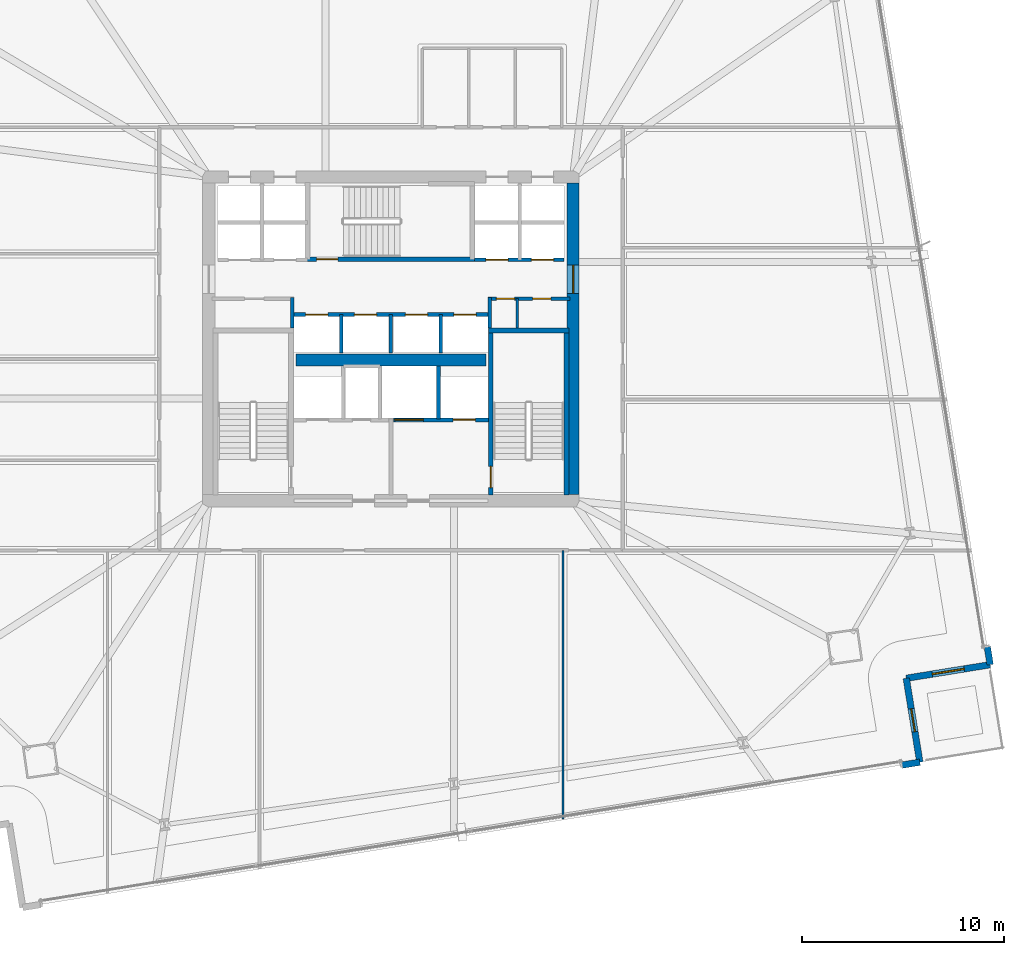
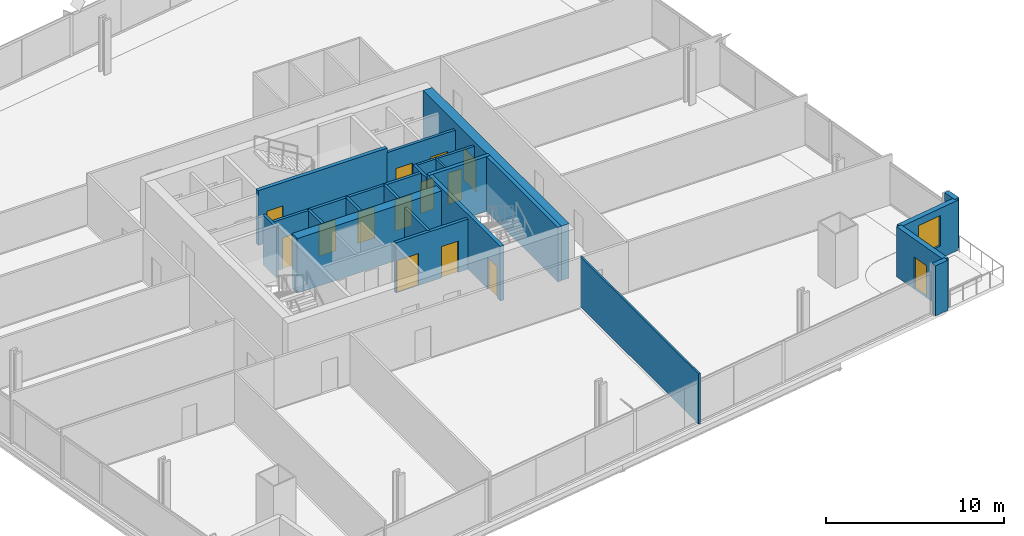
# One storey, part 26 of 33: 22 walls, 14 doors, 1 window, 15 openings.
"""IFC4 building model written with IfcOpenShell, lengths in metres."""

from ifc_helpers import new_model, si_unit, direction, frame, frame_2d, origin, place, context, subcontext, project, spatial, rectangle, extrude, material, layer, layer_set, type_object, element, fill, save


model = new_model("IFC4")

# Units and contexts
model_context = context("Model", 3, precision=1e-05, world=origin(), true_north=direction((0.0, 1.0)))
body_context = subcontext(model_context, "Body", "Model", "MODEL_VIEW")
ifc_project = project(units=[si_unit("LENGTHUNIT", "METRE"), si_unit("AREAUNIT", "SQUARE_METRE"), si_unit("VOLUMEUNIT", "CUBIC_METRE"), si_unit("PLANEANGLEUNIT", "RADIAN"), si_unit("MASSUNIT", "GRAM", prefix="KILO")], contexts=[model_context])

# Site, building, storey
site_placement = place(None, origin())
site = spatial("IfcSite", under=ifc_project, at=site_placement, CompositionType="ELEMENT")
building_placement = place(site_placement, origin())
building = spatial("IfcBuilding", under=site, at=building_placement, Name="Haldenkirk Collegiate Tower", CompositionType="ELEMENT")
storey_placement = place(building_placement, frame((0.0, 0.0, 58.949951171875)))
storey = spatial("IfcBuildingStorey", under=building, at=storey_placement, Name="L13", CompositionType="ELEMENT", Elevation=58.949951171875)

# Wall, opening, door
ifc_material_1 = material(Name="Concrete f'c 70 MPa", Category="concrete")
ifc_layer_1 = layer(ifc_material_1, 0.60009765625)
ifc_layer_set_1 = layer_set([ifc_layer_1], Name="Concrete f'c 70 MPa")
wall_type_1 = type_object("IfcWallType", Name="WL-CORE-600", PredefinedType="SHEAR", material=ifc_layer_set_1)
wall_1_placement = place(storey_placement, frame((45.0, 18.300048828125, 0.0), z_axis=(0.0, 0.0, 1.0), x_axis=(0.0, 1.0, 0.0)))
wall_1 = element("IfcWall", 1, at=wall_1_placement, inside=storey, type_object=wall_type_1, Name="L13 central core shear wall E", PredefinedType="SHEAR", context=body_context, shape_type="SweptSolid", body=[
    extrude(rectangle(XDim=15.39990234375, YDim=0.60009765625, at=frame_2d((7.699951171875, 0.0))), origin(), (0.0, 0.0, 1.0), 3.75),
])
opening_1_placement = place(wall_1_placement, frame((9.93994140625, 0.0, 0.0)))
opening_1 = element("IfcOpeningElement", 2, at=opening_1_placement, cuts=wall_1, Name="Opening D-03", PredefinedType="OPENING", context=body_context, shape_type="SweptSolid", body=[
    extrude(rectangle(XDim=1.39990234375, YDim=2.199951171875, at=frame_2d((0.699951171875, 1.10009765625))), frame((0.0, 0.31005859375, 0.0), z_axis=(0.0, -1.0, 0.0), x_axis=(1.0, 0.0, 0.0)), (0.0, 0.0, 1.0), 0.6201171875),
])
ifc_material_2 = material(Name="Galvanized fire-rated hollow steel door", Category="steel")
ifc_layer_2 = layer(ifc_material_2, 0.06005859375)
ifc_layer_set_2 = layer_set([ifc_layer_2], Name="Galvanized fire-rated hollow steel door")
door_type_1 = type_object("IfcDoorType", Name="DR-LOBBY-FD90-1400", OperationType="NOTDEFINED", PredefinedType="DOOR", material=ifc_layer_set_2)
door_1_placement = place(opening_1_placement, origin())
door_1 = element("IfcDoor", 3, at=door_1_placement, inside=storey, type_object=door_type_1, Name="L13 east lift lobby portal", OperationType="DOUBLE_DOOR_SINGLE_SWING", OverallHeight=2.199951171875, OverallWidth=1.39990234375, PredefinedType="DOOR", context=body_context, shape_type="SweptSolid", body=[
    extrude(rectangle(XDim=1.39990234375, YDim=2.199951171875, at=frame_2d((0.699951171875, 1.10009765625))), frame((0.0, 0.02490234375, 0.0), z_axis=(0.0, -1.0, 0.0), x_axis=(1.0, 0.0, 0.0)), (0.0, 0.0, 1.0), 0.050048828125),
])
fill(opening_1, door_1)

# Walls
wall_2_placement = place(storey_placement, frame((31.31005859375, 24.949951171875, 0.0), z_axis=(0.0, 0.0, 1.0), x_axis=(1.0, 0.0, 0.0)))
element("IfcWall", 4, at=wall_2_placement, inside=storey, type_object=wall_type_1, Name="L13 central core spine shear wall", PredefinedType="SHEAR", context=body_context, shape_type="SweptSolid", body=[
    extrude(rectangle(XDim=9.3798828125, YDim=0.60009765625, at=frame_2d((4.68994140625, 0.0))), origin(), (0.0, 0.0, 1.0), 3.75),
])
ifc_material_3 = material(Name="Precast concrete f'c 40 MPa", Category="concrete")
ifc_layer_3 = layer(ifc_material_3, 0.320068359375)
ifc_layer_set_3 = layer_set([ifc_layer_3], Name="Precast concrete f'c 40 MPa")
wall_type_2 = type_object("IfcWallType", Name="WL-EXT-TWR-320", PredefinedType="STANDARD", material=ifc_layer_set_3)
wall_3_placement = place(storey_placement, frame((62.13037109375, 5.083740234375, 0.0), z_axis=(0.0, 0.0, 1.0), x_axis=(-0.987110110933, -0.160042584625, 0.0)))
element("IfcWall", 5, at=wall_3_placement, inside=storey, type_object=wall_type_2, Name="L13 precast corner pier SL", PredefinedType="STANDARD", context=body_context, shape_type="SweptSolid", body=[
    extrude(rectangle(XDim=0.900146484375, YDim=0.320068359375, at=frame_2d((0.4501953125, 0.0))), origin(), (0.0, 0.0, 1.0), 3.43994140625),
])

# Wall, opening, door
wall_4_placement = place(storey_placement, frame((61.458740234375, 9.2294921875, 0.0), z_axis=(0.0, 0.0, 1.0), x_axis=(0.159919601167, -0.987130042681, 0.0)))
wall_4 = element("IfcWall", 6, at=wall_4_placement, inside=storey, type_object=wall_type_2, Name="L13 bronze precast notch wall 02", PredefinedType="STANDARD", context=body_context, shape_type="SweptSolid", body=[
    extrude(rectangle(XDim=4.19970703125, YDim=0.320068359375, at=frame_2d((2.099853515625, 0.0))), origin(), (0.0, 0.0, 1.0), 3.43994140625),
])
opening_2_placement = place(wall_4_placement, frame((1.52490234375, 0.0, 0.0)))
opening_2 = element("IfcOpeningElement", 7, at=opening_2_placement, cuts=wall_4, Name="Opening D-ST11", PredefinedType="OPENING", context=body_context, shape_type="SweptSolid", body=[
    extrude(rectangle(XDim=1.14990234375, YDim=2.199951171875, at=frame_2d((0.574951171875, 1.10009765625))), frame((0.0, 0.169921875, 0.0), z_axis=(0.0, -1.0, 0.0), x_axis=(1.0, 0.0, 0.0)), (0.0, 0.0, 1.0), 0.340087890625),
])
ifc_material_4 = material(Name="Anodised architectural bronze aluminium", Category="aluminium")
ifc_layer_4 = layer(ifc_material_4, 0.080078125)
ifc_layer_set_4 = layer_set([ifc_layer_4], Name="Anodised architectural bronze aluminium")
door_type_2 = type_object("IfcDoorType", Name="DR-EXT-STER-1150", OperationType="NOTDEFINED", PredefinedType="DOOR", material=ifc_layer_set_4)
door_2_placement = place(opening_2_placement, origin())
door_2 = element("IfcDoor", 8, at=door_2_placement, inside=storey, type_object=door_type_2, Name="L13 spiralling terrace door", OperationType="SINGLE_SWING_RIGHT", OverallHeight=2.199951171875, OverallWidth=1.14990234375, PredefinedType="DOOR", context=body_context, shape_type="SweptSolid", body=[
    extrude(rectangle(XDim=1.14990234375, YDim=2.199951171875, at=frame_2d((0.574951171875, 1.10009765625))), frame((0.0, 0.02490234375, 0.0), z_axis=(0.0, -1.0, 0.0), x_axis=(1.0, 0.0, 0.0)), (0.0, 0.0, 1.0), 0.050048828125),
])
fill(opening_2, door_2)

# Wall, opening, window
wall_5_placement = place(storey_placement, frame((65.604736328125, 9.901123046875, 0.0), z_axis=(0.0, 0.0, 1.0), x_axis=(-0.987131529222, -0.159910424973, 0.0)))
wall_5 = element("IfcWall", 9, at=wall_5_placement, inside=storey, type_object=wall_type_2, Name="L13 bronze precast notch wall 03", PredefinedType="STANDARD", context=body_context, shape_type="SweptSolid", body=[
    extrude(rectangle(XDim=4.199951171875, YDim=0.320068359375, at=frame_2d((2.10009765625, 0.0))), origin(), (0.0, 0.0, 1.0), 3.43994140625),
])
opening_3_placement = place(wall_5_placement, frame((1.300048828125, 0.0, 0.85009765625)))
opening_3 = element("IfcOpeningElement", 10, at=opening_3_placement, cuts=wall_5, Name="Opening W-03", PredefinedType="OPENING", context=body_context, shape_type="SweptSolid", body=[
    extrude(rectangle(XDim=1.60009765625, YDim=2.10009765625, at=frame_2d((0.800048828125, 1.050048828125))), frame((0.0, 0.169921875, 0.0), z_axis=(0.0, -1.0, 0.0), x_axis=(1.0, 0.0, 0.0)), (0.0, 0.0, 1.0), 0.340087890625),
])
ifc_material_5 = material(Name="Low-E argon triple insulating glass", Category="glass")
ifc_layer_5 = layer(ifc_material_5, 0.090087890625)
ifc_layer_set_5 = layer_set([ifc_layer_5], Name="Low-E argon triple insulating glass")
window_type = type_object("IfcWindowType", Name="WN-Z1-1600X2100", PartitioningType="SINGLE_PANEL", PredefinedType="WINDOW", material=ifc_layer_set_5)
window_placement = place(opening_3_placement, origin())
window = element("IfcWindow", 11, at=window_placement, inside=storey, type_object=window_type, Name="L13 precast-frame academic window 2", OverallHeight=2.10009765625, OverallWidth=1.60009765625, PartitioningType="SINGLE_PANEL", PredefinedType="WINDOW", context=body_context, shape_type="SweptSolid", body=[
    extrude(rectangle(XDim=1.60009765625, YDim=2.10009765625, at=frame_2d((0.800048828125, 1.050048828125))), frame((0.0, 0.030029296875, 0.0), z_axis=(0.0, -1.0, 0.0), x_axis=(1.0, 0.0, 0.0)), (0.0, 0.0, 1.0), 0.06005859375),
])
fill(opening_3, window)

# Walls
wall_6_placement = place(storey_placement, frame((65.460693359375, 10.78955078125, 0.0), z_axis=(0.0, 0.0, 1.0), x_axis=(0.160042584625, -0.987110110933, 0.0)))
element("IfcWall", 12, at=wall_6_placement, inside=storey, type_object=wall_type_2, Name="L13 precast corner pier ER", PredefinedType="STANDARD", context=body_context, shape_type="SweptSolid", body=[
    extrude(rectangle(XDim=0.900146484375, YDim=0.320068359375, at=frame_2d((0.4501953125, 0.0))), origin(), (0.0, 0.0, 1.0), 3.43994140625),
])
ifc_material_6 = material(Name="Acoustic fire-rated gypsum partition", Category="concrete")
ifc_layer_6 = layer(ifc_material_6, 0.159912109375)
ifc_layer_set_6 = layer_set([ifc_layer_6], Name="Acoustic fire-rated gypsum partition")
wall_type_3 = type_object("IfcWallType", Name="WL-INT-CORR-160", PredefinedType="PARTITIONING", material=ifc_layer_set_6)
wall_7_placement = place(storey_placement, frame((31.1201171875, 26.5400390625, 0.0), z_axis=(0.0, 0.0, 1.0), x_axis=(0.0, 1.0, 0.0)))
element("IfcWall", 13, at=wall_7_placement, inside=storey, type_object=wall_type_3, Name="L13 interior partition IW-L13-VCSW-E", PredefinedType="PARTITIONING", context=body_context, shape_type="SweptSolid", body=[
    extrude(rectangle(XDim=1.510009765625, YDim=0.159912109375, at=frame_2d((0.7548828125, 0.0))), origin(), (0.0, 0.0, 1.0), 3.43994140625),
])

# Wall, openings, doors
wall_8_placement = place(storey_placement, frame((40.800048828125, 27.97998046875, 0.0), z_axis=(0.0, 0.0, 1.0), x_axis=(1.0, 0.0, 0.0)))
wall_8 = element("IfcWall", 14, at=wall_8_placement, inside=storey, type_object=wall_type_3, Name="L13 interior partition IW-L13-VCSE-N", PredefinedType="PARTITIONING", context=body_context, shape_type="SweptSolid", body=[
    extrude(rectangle(XDim=4.050048828125, YDim=0.159912109375, at=frame_2d((2.02490234375, 0.0))), origin(), (0.0, 0.0, 1.0), 3.43994140625),
])
opening_4_placement = place(wall_8_placement, frame((0.407470703125, 0.0, 0.0)))
opening_4 = element("IfcOpeningElement", 15, at=opening_4_placement, cuts=wall_8, Name="Opening D-11", PredefinedType="OPENING", context=body_context, shape_type="SweptSolid", body=[
    extrude(rectangle(XDim=0.89990234375, YDim=2.14990234375, at=frame_2d((0.449951171875, 1.074951171875))), frame((0.0, 0.08984375, 0.0), z_axis=(0.0, -1.0, 0.0), x_axis=(1.0, 0.0, 0.0)), (0.0, 0.0, 1.0), 0.179931640625),
])
opening_5_placement = place(wall_8_placement, frame((2.199951171875, 0.0, 0.0)))
opening_5 = element("IfcOpeningElement", 16, at=opening_5_placement, cuts=wall_8, Name="Opening D-11", PredefinedType="OPENING", context=body_context, shape_type="SweptSolid", body=[
    extrude(rectangle(XDim=0.89990234375, YDim=2.14990234375, at=frame_2d((0.449951171875, 1.074951171875))), frame((0.0, 0.08984375, 0.0), z_axis=(0.0, -1.0, 0.0), x_axis=(1.0, 0.0, 0.0)), (0.0, 0.0, 1.0), 0.179931640625),
])
ifc_material_7 = material(Name="Solid-core architectural oak fire door", Category="wood")
ifc_layer_7 = layer(ifc_material_7, 0.06005859375)
ifc_layer_set_7 = layer_set([ifc_layer_7], Name="Solid-core architectural oak fire door")
door_type_3 = type_object("IfcDoorType", Name="DR-INT-FD60-900", OperationType="NOTDEFINED", PredefinedType="DOOR", material=ifc_layer_set_7)
door_3_placement = place(opening_4_placement, origin())
door_3 = element("IfcDoor", 17, at=door_3_placement, inside=storey, type_object=door_type_3, Name="L13 core copy room door", OperationType="SINGLE_SWING_RIGHT", OverallHeight=2.14990234375, OverallWidth=0.89990234375, PredefinedType="DOOR", context=body_context, shape_type="SweptSolid", body=[
    extrude(rectangle(XDim=0.89990234375, YDim=2.14990234375, at=frame_2d((0.449951171875, 1.074951171875))), frame((0.0, 0.02490234375, 0.0), z_axis=(0.0, -1.0, 0.0), x_axis=(1.0, 0.0, 0.0)), (0.0, 0.0, 1.0), 0.050048828125),
])
fill(opening_4, door_3)
door_4_placement = place(opening_5_placement, origin())
door_4 = element("IfcDoor", 18, at=door_4_placement, inside=storey, type_object=door_type_3, Name="L13 core records store door", OperationType="SINGLE_SWING_LEFT", OverallHeight=2.14990234375, OverallWidth=0.89990234375, PredefinedType="DOOR", context=body_context, shape_type="SweptSolid", body=[
    extrude(rectangle(XDim=0.89990234375, YDim=2.14990234375, at=frame_2d((0.449951171875, 1.074951171875))), frame((0.0, 0.02490234375, 0.0), z_axis=(0.0, -1.0, 0.0), x_axis=(1.0, 0.0, 0.0)), (0.0, 0.0, 1.0), 0.050048828125),
])
fill(opening_5, door_4)

# Walls
wall_9_placement = place(storey_placement, frame((40.8798828125, 26.5400390625, 0.0), z_axis=(0.0, 0.0, 1.0), x_axis=(0.0, 1.0, 0.0)))
element("IfcWall", 19, at=wall_9_placement, inside=storey, type_object=wall_type_3, Name="L13 interior partition IW-L13-VCSE-W", PredefinedType="PARTITIONING", context=body_context, shape_type="SweptSolid", body=[
    extrude(rectangle(XDim=1.510009765625, YDim=0.159912109375, at=frame_2d((0.7548828125, 0.0))), origin(), (0.0, 0.0, 1.0), 3.43994140625),
])
ifc_material_8 = material(Name="Fire-rated gypsum shaftboard assembly", Category="concrete")
ifc_layer_8 = layer(ifc_material_8, 0.179931640625)
ifc_layer_set_8 = layer_set([ifc_layer_8], Name="Fire-rated gypsum shaftboard assembly")
wall_type_4 = type_object("IfcWallType", Name="WL-INT-SHAFT-180", PredefinedType="PARTITIONING", material=ifc_layer_set_8)
wall_10_placement = place(storey_placement, frame((38.35009765625, 22.050048828125, 0.0), z_axis=(0.0, 0.0, 1.0), x_axis=(0.0, 1.0, 0.0)))
element("IfcWall", 20, at=wall_10_placement, inside=storey, type_object=wall_type_4, Name="L13 interior partition IW-L13-GL1E", PredefinedType="PARTITIONING", context=body_context, shape_type="SweptSolid", body=[
    extrude(rectangle(XDim=2.599853515625, YDim=0.179931640625, at=frame_2d((1.2998046875, 0.0))), origin(), (0.0, 0.0, 1.0), 3.43994140625),
])

# Wall, openings, doors
wall_11_placement = place(storey_placement, frame((40.1201171875, 29.89990234375, 0.0), z_axis=(0.0, 0.0, 1.0), x_axis=(1.0, 0.0, 0.0)))
wall_11 = element("IfcWall", 21, at=wall_11_placement, inside=storey, type_object=wall_type_4, Name="L13 interior partition IW-L13-PMS", PredefinedType="PARTITIONING", context=body_context, shape_type="SweptSolid", body=[
    extrude(rectangle(XDim=4.429931640625, YDim=0.179931640625, at=frame_2d((2.21484375, 0.0))), origin(), (0.0, 0.0, 1.0), 3.43994140625),
])
opening_6_placement = place(wall_11_placement, frame((0.56494140625, 0.0, 0.0)))
opening_6 = element("IfcOpeningElement", 22, at=opening_6_placement, cuts=wall_11, Name="Opening LD-11", PredefinedType="OPENING", context=body_context, shape_type="SweptSolid", body=[
    extrude(rectangle(XDim=1.10009765625, YDim=2.14990234375, at=frame_2d((0.550048828125, 1.074951171875))), frame((0.0, 0.099853515625, 0.0), z_axis=(0.0, -1.0, 0.0), x_axis=(1.0, 0.0, 0.0)), (0.0, 0.0, 1.0), 0.199951171875),
])
opening_7_placement = place(wall_11_placement, frame((2.81494140625, 0.0, 0.0)))
opening_7 = element("IfcOpeningElement", 23, at=opening_7_placement, cuts=wall_11, Name="Opening LD-11", PredefinedType="OPENING", context=body_context, shape_type="SweptSolid", body=[
    extrude(rectangle(XDim=1.10009765625, YDim=2.14990234375, at=frame_2d((0.550048828125, 1.074951171875))), frame((0.0, 0.099853515625, 0.0), z_axis=(0.0, -1.0, 0.0), x_axis=(1.0, 0.0, 0.0)), (0.0, 0.0, 1.0), 0.199951171875),
])
ifc_material_9 = material(Name="Brushed architectural stainless steel", Category="steel")
ifc_layer_9 = layer(ifc_material_9, 0.06005859375)
ifc_layer_set_9 = layer_set([ifc_layer_9], Name="Brushed architectural stainless steel")
door_type_4 = type_object("IfcDoorType", Name="LD-PASS-1100", OperationType="NOTDEFINED", PredefinedType="DOOR", material=ifc_layer_set_9)
door_5_placement = place(opening_6_placement, origin())
door_5 = element("IfcDoor", 24, at=door_5_placement, inside=storey, type_object=door_type_4, Name="L13 Elevator PM1 sliding landing door", OperationType="SLIDING_TO_LEFT", OverallHeight=2.14990234375, OverallWidth=1.10009765625, PredefinedType="DOOR", context=body_context, shape_type="SweptSolid", body=[
    extrude(rectangle(XDim=1.10009765625, YDim=2.14990234375, at=frame_2d((0.550048828125, 1.074951171875))), frame((0.0, 0.02490234375, 0.0), z_axis=(0.0, -1.0, 0.0), x_axis=(1.0, 0.0, 0.0)), (0.0, 0.0, 1.0), 0.050048828125),
])
fill(opening_6, door_5)
door_6_placement = place(opening_7_placement, origin())
door_6 = element("IfcDoor", 25, at=door_6_placement, inside=storey, type_object=door_type_4, Name="L13 Elevator PM2 sliding landing door", OperationType="SLIDING_TO_LEFT", OverallHeight=2.14990234375, OverallWidth=1.10009765625, PredefinedType="DOOR", context=body_context, shape_type="SweptSolid", body=[
    extrude(rectangle(XDim=1.10009765625, YDim=2.14990234375, at=frame_2d((0.550048828125, 1.074951171875))), frame((0.0, 0.02490234375, 0.0), z_axis=(0.0, -1.0, 0.0), x_axis=(1.0, 0.0, 0.0)), (0.0, 0.0, 1.0), 0.050048828125),
])
fill(opening_7, door_6)

wall_12_placement = place(storey_placement, frame((31.199951171875, 27.199951171875, 0.0), z_axis=(0.0, 0.0, 1.0), x_axis=(1.0, 0.0, 0.0)))
wall_12 = element("IfcWall", 26, at=wall_12_placement, inside=storey, type_object=wall_type_4, Name="L13 interior partition IW-L13-PHN", PredefinedType="PARTITIONING", context=body_context, shape_type="SweptSolid", body=[
    extrude(rectangle(XDim=9.60009765625, YDim=0.179931640625, at=frame_2d((4.800048828125, 0.0))), origin(), (0.0, 0.0, 1.0), 3.43994140625),
])
opening_8_placement = place(wall_12_placement, frame((0.590087890625, 0.0, 0.0)))
opening_8 = element("IfcOpeningElement", 27, at=opening_8_placement, cuts=wall_12, Name="Opening LD-11", PredefinedType="OPENING", context=body_context, shape_type="SweptSolid", body=[
    extrude(rectangle(XDim=1.10009765625, YDim=2.14990234375, at=frame_2d((0.550048828125, 1.074951171875))), frame((0.0, 0.099853515625, 0.0), z_axis=(0.0, -1.0, 0.0), x_axis=(1.0, 0.0, 0.0)), (0.0, 0.0, 1.0), 0.199951171875),
])
opening_9_placement = place(wall_12_placement, frame((2.989990234375, 0.0, 0.0)))
opening_9 = element("IfcOpeningElement", 28, at=opening_9_placement, cuts=wall_12, Name="Opening LD-11", PredefinedType="OPENING", context=body_context, shape_type="SweptSolid", body=[
    extrude(rectangle(XDim=1.10009765625, YDim=2.14990234375, at=frame_2d((0.550048828125, 1.074951171875))), frame((0.0, 0.099853515625, 0.0), z_axis=(0.0, -1.0, 0.0), x_axis=(1.0, 0.0, 0.0)), (0.0, 0.0, 1.0), 0.199951171875),
])
opening_10_placement = place(wall_12_placement, frame((5.510009765625, 0.0, 0.0)))
opening_10 = element("IfcOpeningElement", 29, at=opening_10_placement, cuts=wall_12, Name="Opening LD-11", PredefinedType="OPENING", context=body_context, shape_type="SweptSolid", body=[
    extrude(rectangle(XDim=1.10009765625, YDim=2.14990234375, at=frame_2d((0.550048828125, 1.074951171875))), frame((0.0, 0.099853515625, 0.0), z_axis=(0.0, -1.0, 0.0), x_axis=(1.0, 0.0, 0.0)), (0.0, 0.0, 1.0), 0.199951171875),
])
opening_11_placement = place(wall_12_placement, frame((7.909912109375, 0.0, 0.0)))
opening_11 = element("IfcOpeningElement", 30, at=opening_11_placement, cuts=wall_12, Name="Opening LD-11", PredefinedType="OPENING", context=body_context, shape_type="SweptSolid", body=[
    extrude(rectangle(XDim=1.10009765625, YDim=2.14990234375, at=frame_2d((0.550048828125, 1.074951171875))), frame((0.0, 0.099853515625, 0.0), z_axis=(0.0, -1.0, 0.0), x_axis=(1.0, 0.0, 0.0)), (0.0, 0.0, 1.0), 0.199951171875),
])
door_7_placement = place(opening_8_placement, origin())
door_7 = element("IfcDoor", 31, at=door_7_placement, inside=storey, type_object=door_type_4, Name="L13 Elevator PH1 sliding landing door", OperationType="SLIDING_TO_LEFT", OverallHeight=2.14990234375, OverallWidth=1.10009765625, PredefinedType="DOOR", context=body_context, shape_type="SweptSolid", body=[
    extrude(rectangle(XDim=1.10009765625, YDim=2.14990234375, at=frame_2d((0.550048828125, 1.074951171875))), frame((0.0, 0.02490234375, 0.0), z_axis=(0.0, -1.0, 0.0), x_axis=(1.0, 0.0, 0.0)), (0.0, 0.0, 1.0), 0.050048828125),
])
fill(opening_8, door_7)
door_8_placement = place(opening_9_placement, origin())
door_8 = element("IfcDoor", 32, at=door_8_placement, inside=storey, type_object=door_type_4, Name="L13 Elevator PH2 sliding landing door", OperationType="SLIDING_TO_LEFT", OverallHeight=2.14990234375, OverallWidth=1.10009765625, PredefinedType="DOOR", context=body_context, shape_type="SweptSolid", body=[
    extrude(rectangle(XDim=1.10009765625, YDim=2.14990234375, at=frame_2d((0.550048828125, 1.074951171875))), frame((0.0, 0.02490234375, 0.0), z_axis=(0.0, -1.0, 0.0), x_axis=(1.0, 0.0, 0.0)), (0.0, 0.0, 1.0), 0.050048828125),
])
fill(opening_9, door_8)
door_9_placement = place(opening_10_placement, origin())
door_9 = element("IfcDoor", 33, at=door_9_placement, inside=storey, type_object=door_type_4, Name="L13 Elevator PH3 sliding landing door", OperationType="SLIDING_TO_LEFT", OverallHeight=2.14990234375, OverallWidth=1.10009765625, PredefinedType="DOOR", context=body_context, shape_type="SweptSolid", body=[
    extrude(rectangle(XDim=1.10009765625, YDim=2.14990234375, at=frame_2d((0.550048828125, 1.074951171875))), frame((0.0, 0.02490234375, 0.0), z_axis=(0.0, -1.0, 0.0), x_axis=(1.0, 0.0, 0.0)), (0.0, 0.0, 1.0), 0.050048828125),
])
fill(opening_10, door_9)
door_10_placement = place(opening_11_placement, origin())
door_10 = element("IfcDoor", 34, at=door_10_placement, inside=storey, type_object=door_type_4, Name="L13 Elevator PH4 sliding landing door", OperationType="SLIDING_TO_LEFT", OverallHeight=2.14990234375, OverallWidth=1.10009765625, PredefinedType="DOOR", context=body_context, shape_type="SweptSolid", body=[
    extrude(rectangle(XDim=1.10009765625, YDim=2.14990234375, at=frame_2d((0.550048828125, 1.074951171875))), frame((0.0, 0.02490234375, 0.0), z_axis=(0.0, -1.0, 0.0), x_axis=(1.0, 0.0, 0.0)), (0.0, 0.0, 1.0), 0.050048828125),
])
fill(opening_11, door_10)

# Walls
for number, where, z_axis, x_axis, name in (
    (35, (33.5400390625, 25.300048828125, 0.0), (0.0, 0.0, 1.0), (0.0, 1.0, 0.0), "L13 interior partition IW-L13-PHV1"),
    (36, (36.0, 25.300048828125, 0.0), (0.0, 0.0, 1.0), (0.0, 1.0, 0.0), "L13 interior partition IW-L13-PHV2"),
    (37, (38.4599609375, 25.300048828125, 0.0), (0.0, 0.0, 1.0), (0.0, 1.0, 0.0), "L13 interior partition IW-L13-PHV3"),
):
    element("IfcWall", number, at=place(storey_placement, frame(where, z_axis=z_axis, x_axis=x_axis)), inside=storey, type_object=wall_type_4, Name=name, PredefinedType="PARTITIONING", context=body_context, shape_type="SweptSolid", body=[
        extrude(rectangle(XDim=1.89990234375, YDim=0.179931640625, at=frame_2d((0.949951171875, 0.0))), origin(), (0.0, 0.0, 1.0), 3.43994140625),
    ])

# Wall, openings, doors
ifc_layer_10 = layer(ifc_material_8, 0.199951171875)
ifc_layer_set_10 = layer_set([ifc_layer_10], Name="Fire-rated gypsum shaftboard assembly")
wall_type_5 = type_object("IfcWallType", Name="WL-INT-SHAFT-200", PredefinedType="PARTITIONING", material=ifc_layer_set_10)
wall_13_placement = place(storey_placement, frame((36.1201171875, 22.0, 0.0), z_axis=(0.0, 0.0, 1.0), x_axis=(1.0, 0.0, 0.0)))
wall_13 = element("IfcWall", 38, at=wall_13_placement, inside=storey, type_object=wall_type_5, Name="L13 interior partition IW-L13-FFL2N", PredefinedType="PARTITIONING", context=body_context, shape_type="SweptSolid", body=[
    extrude(rectangle(XDim=4.68994140625, YDim=0.199951171875, at=frame_2d((2.344970703125, 0.0))), origin(), (0.0, 0.0, 1.0), 3.43994140625),
])
opening_12_placement = place(wall_13_placement, frame((2.955078125, 0.0, 0.0)))
opening_12 = element("IfcOpeningElement", 39, at=opening_12_placement, cuts=wall_13, Name="Opening LD-12", PredefinedType="OPENING", context=body_context, shape_type="SweptSolid", body=[
    extrude(rectangle(XDim=1.10009765625, YDim=2.14990234375, at=frame_2d((0.550048828125, 1.074951171875))), frame((0.0, 0.10986328125, 0.0), z_axis=(0.0, -1.0, 0.0), x_axis=(1.0, 0.0, 0.0)), (0.0, 0.0, 1.0), 0.219970703125),
])
opening_13_placement = place(wall_13_placement, frame((0.080078125, 0.0, 0.0)))
opening_13 = element("IfcOpeningElement", 40, at=opening_13_placement, cuts=wall_13, Name="Opening LD-13", PredefinedType="OPENING", context=body_context, shape_type="SweptSolid", body=[
    extrude(rectangle(XDim=1.39990234375, YDim=2.199951171875, at=frame_2d((0.699951171875, 1.10009765625))), frame((0.0, 0.10986328125, 0.0), z_axis=(0.0, -1.0, 0.0), x_axis=(1.0, 0.0, 0.0)), (0.0, 0.0, 1.0), 0.219970703125),
])
ifc_layer_11 = layer(ifc_material_9, 0.06005859375)
ifc_layer_set_11 = layer_set([ifc_layer_11], Name="Brushed architectural stainless steel")
door_type_5 = type_object("IfcDoorType", Name="LD-FIRE-1100", OperationType="NOTDEFINED", PredefinedType="DOOR", material=ifc_layer_set_11)
door_11_placement = place(opening_12_placement, origin())
door_11 = element("IfcDoor", 41, at=door_11_placement, inside=storey, type_object=door_type_5, Name="L13 Elevator FL2 sliding landing door", OperationType="SLIDING_TO_LEFT", OverallHeight=2.14990234375, OverallWidth=1.10009765625, PredefinedType="DOOR", context=body_context, shape_type="SweptSolid", body=[
    extrude(rectangle(XDim=1.10009765625, YDim=2.14990234375, at=frame_2d((0.550048828125, 1.074951171875))), frame((0.0, 0.02490234375, 0.0), z_axis=(0.0, -1.0, 0.0), x_axis=(1.0, 0.0, 0.0)), (0.0, 0.0, 1.0), 0.050048828125),
])
fill(opening_12, door_11)
ifc_layer_12 = layer(ifc_material_9, 0.06005859375)
ifc_layer_set_12 = layer_set([ifc_layer_12], Name="Brushed architectural stainless steel")
door_type_6 = type_object("IfcDoorType", Name="LD-GOODS-1400", OperationType="NOTDEFINED", PredefinedType="DOOR", material=ifc_layer_set_12)
door_12_placement = place(opening_13_placement, origin())
door_12 = element("IfcDoor", 42, at=door_12_placement, inside=storey, type_object=door_type_6, Name="L13 Elevator GL1 sliding landing door", OperationType="SLIDING_TO_LEFT", OverallHeight=2.199951171875, OverallWidth=1.39990234375, PredefinedType="DOOR", context=body_context, shape_type="SweptSolid", body=[
    extrude(rectangle(XDim=1.39990234375, YDim=2.199951171875, at=frame_2d((0.699951171875, 1.10009765625))), frame((0.0, 0.02490234375, 0.0), z_axis=(0.0, -1.0, 0.0), x_axis=(1.0, 0.0, 0.0)), (0.0, 0.0, 1.0), 0.050048828125),
])
fill(opening_13, door_12)

# Walls
ifc_layer_13 = layer(ifc_material_6, 0.1201171875)
ifc_layer_set_13 = layer_set([ifc_layer_13], Name="Acoustic fire-rated gypsum partition")
wall_type_6 = type_object("IfcWallType", Name="WL-INT-WET-120", PredefinedType="PARTITIONING", material=ifc_layer_set_13)
wall_14_placement = place(storey_placement, frame((42.25, 26.5400390625, 0.0), z_axis=(0.0, 0.0, 1.0), x_axis=(0.0, 1.0, 0.0)))
element("IfcWall", 43, at=wall_14_placement, inside=storey, type_object=wall_type_6, Name="L13 interior partition IW-L13-VCSE-M", PredefinedType="PARTITIONING", context=body_context, shape_type="SweptSolid", body=[
    extrude(rectangle(XDim=1.43994140625, YDim=0.1201171875, at=frame_2d((0.719970703125, 0.0))), origin(), (0.0, 0.0, 1.0), 3.43994140625),
])
wall_15_placement = place(storey_placement, frame((44.5, 2.268798828125, 0.0), z_axis=(0.0, 0.0, 1.0), x_axis=(0.0, 1.0, 0.0)))
element("IfcWall", 44, at=wall_15_placement, inside=storey, type_object=wall_type_6, Name="L13 interior partition IW-L13-RS3", PredefinedType="PARTITIONING", context=body_context, shape_type="SweptSolid", body=[
    extrude(rectangle(XDim=13.28125, YDim=0.1201171875, at=frame_2d((6.640625, 0.0))), origin(), (0.0, 0.0, 1.0), 3.43994140625),
])

# Wall, opening, door
ifc_material_10 = material(Name="Concrete f'c 55 MPa", Category="concrete")
ifc_layer_14 = layer(ifc_material_10, 0.239990234375)
ifc_layer_set_14 = layer_set([ifc_layer_14], Name="Concrete f'c 55 MPa")
wall_type_7 = type_object("IfcWallType", Name="WL-SHAFT-240", PredefinedType="SHEAR", material=ifc_layer_set_14)
wall_16_placement = place(storey_placement, frame((40.929931640625, 18.280029296875, 0.0), z_axis=(0.0, 0.0, 1.0), x_axis=(0.0, 1.0, 0.0)))
wall_16 = element("IfcWall", 45, at=wall_16_placement, inside=storey, type_object=wall_type_7, Name="L13 stair shaft shear wall SW-L13-ST2W", PredefinedType="SHEAR", context=body_context, shape_type="SweptSolid", body=[
    extrude(rectangle(XDim=8.260009765625, YDim=0.239990234375, at=frame_2d((4.1298828125, 0.0))), origin(), (0.0, 0.0, 1.0), 3.75),
])
opening_14_placement = place(wall_16_placement, frame((0.364990234375, 0.0, 0.0)))
opening_14 = element("IfcOpeningElement", 46, at=opening_14_placement, cuts=wall_16, Name="Opening D-01", PredefinedType="OPENING", context=body_context, shape_type="SweptSolid", body=[
    extrude(rectangle(XDim=1.050048828125, YDim=2.14990234375, at=frame_2d((0.52490234375, 1.074951171875))), frame((0.0, 0.1298828125, 0.0), z_axis=(0.0, -1.0, 0.0), x_axis=(1.0, 0.0, 0.0)), (0.0, 0.0, 1.0), 0.260009765625),
])
ifc_layer_15 = layer(ifc_material_2, 0.06005859375)
ifc_layer_set_15 = layer_set([ifc_layer_15], Name="Galvanized fire-rated hollow steel door")
door_type_7 = type_object("IfcDoorType", Name="DR-STAIR-FD90-1050", OperationType="NOTDEFINED", PredefinedType="DOOR", material=ifc_layer_set_15)
door_13_placement = place(opening_14_placement, origin())
door_13 = element("IfcDoor", 47, at=door_13_placement, inside=storey, type_object=door_type_7, Name="L13 Stair 2 door", OperationType="SINGLE_SWING_RIGHT", OverallHeight=2.14990234375, OverallWidth=1.050048828125, PredefinedType="DOOR", context=body_context, shape_type="SweptSolid", body=[
    extrude(rectangle(XDim=1.050048828125, YDim=2.14990234375, at=frame_2d((0.52490234375, 1.074951171875))), frame((0.0, 0.02490234375, 0.0), z_axis=(0.0, -1.0, 0.0), x_axis=(1.0, 0.0, 0.0)), (0.0, 0.0, 1.0), 0.050048828125),
])
fill(opening_14, door_13)

# Walls
wall_17_placement = place(storey_placement, frame((40.81005859375, 26.419921875, 0.0), z_axis=(0.0, 0.0, 1.0), x_axis=(1.0, 0.0, 0.0)))
element("IfcWall", 48, at=wall_17_placement, inside=storey, type_object=wall_type_7, Name="L13 stair shaft shear wall SW-L13-ST2N", PredefinedType="SHEAR", context=body_context, shape_type="SweptSolid", body=[
    extrude(rectangle(XDim=3.97998046875, YDim=0.239990234375, at=frame_2d((1.989990234375, 0.0))), origin(), (0.0, 0.0, 1.0), 3.75),
])
wall_18_placement = place(storey_placement, frame((44.669921875, 18.280029296875, 0.0), z_axis=(0.0, 0.0, 1.0), x_axis=(0.0, 1.0, 0.0)))
element("IfcWall", 49, at=wall_18_placement, inside=storey, type_object=wall_type_7, Name="L13 stair shaft shear wall SW-L13-ST2E", PredefinedType="SHEAR", context=body_context, shape_type="SweptSolid", body=[
    extrude(rectangle(XDim=8.260009765625, YDim=0.239990234375, at=frame_2d((4.1298828125, 0.0))), origin(), (0.0, 0.0, 1.0), 3.75),
])

# Wall, opening, door
wall_19_placement = place(storey_placement, frame((31.760009765625, 29.929931640625, 0.0), z_axis=(0.0, 0.0, 1.0), x_axis=(1.0, 0.0, 0.0)))
wall_19 = element("IfcWall", 50, at=wall_19_placement, inside=storey, type_object=wall_type_7, Name="L13 stair shaft shear wall SW-L13-ST3S", PredefinedType="SHEAR", context=body_context, shape_type="SweptSolid", body=[
    extrude(rectangle(XDim=8.3798828125, YDim=0.239990234375, at=frame_2d((4.18994140625, 0.0))), origin(), (0.0, 0.0, 1.0), 3.75),
])
opening_15_placement = place(wall_19_placement, frame((0.56494140625, 0.0, 0.0)))
opening_15 = element("IfcOpeningElement", 51, at=opening_15_placement, cuts=wall_19, Name="Opening D-01", PredefinedType="OPENING", context=body_context, shape_type="SweptSolid", body=[
    extrude(rectangle(XDim=1.050048828125, YDim=2.14990234375, at=frame_2d((0.52490234375, 1.074951171875))), frame((0.0, 0.1298828125, 0.0), z_axis=(0.0, -1.0, 0.0), x_axis=(1.0, 0.0, 0.0)), (0.0, 0.0, 1.0), 0.260009765625),
])
door_14_placement = place(opening_15_placement, origin())
door_14 = element("IfcDoor", 52, at=door_14_placement, inside=storey, type_object=door_type_7, Name="L13 lift lobby Stair 3 door", OperationType="SINGLE_SWING_RIGHT", OverallHeight=2.14990234375, OverallWidth=1.050048828125, PredefinedType="DOOR", context=body_context, shape_type="SweptSolid", body=[
    extrude(rectangle(XDim=1.050048828125, YDim=2.14990234375, at=frame_2d((0.52490234375, 1.074951171875))), frame((0.0, 0.02490234375, 0.0), z_axis=(0.0, -1.0, 0.0), x_axis=(1.0, 0.0, 0.0)), (0.0, 0.0, 1.0), 0.050048828125),
])
fill(opening_15, door_14)

save(model, "model.ifc")
